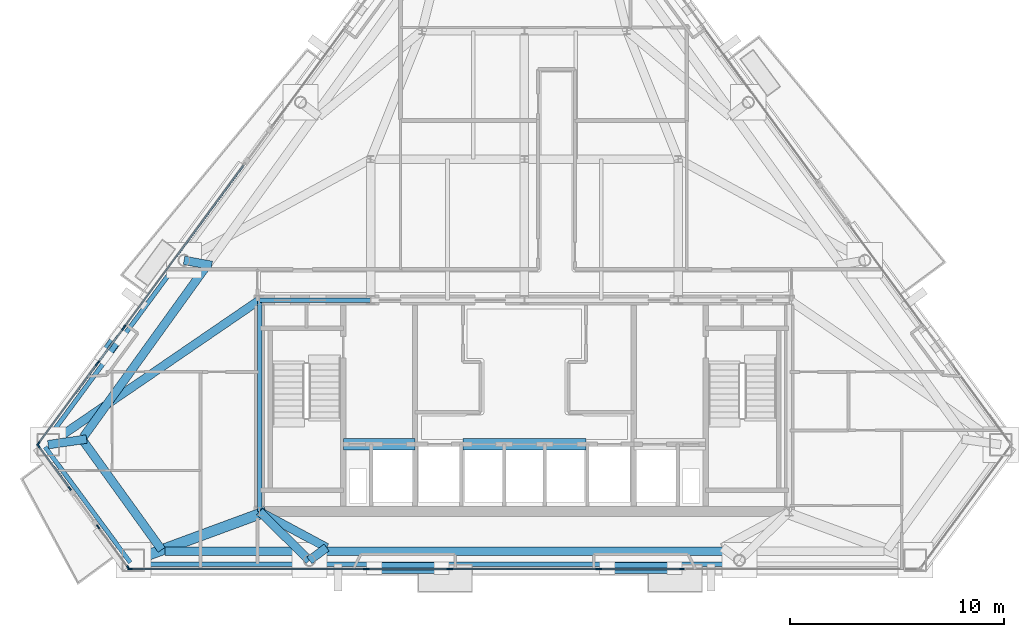
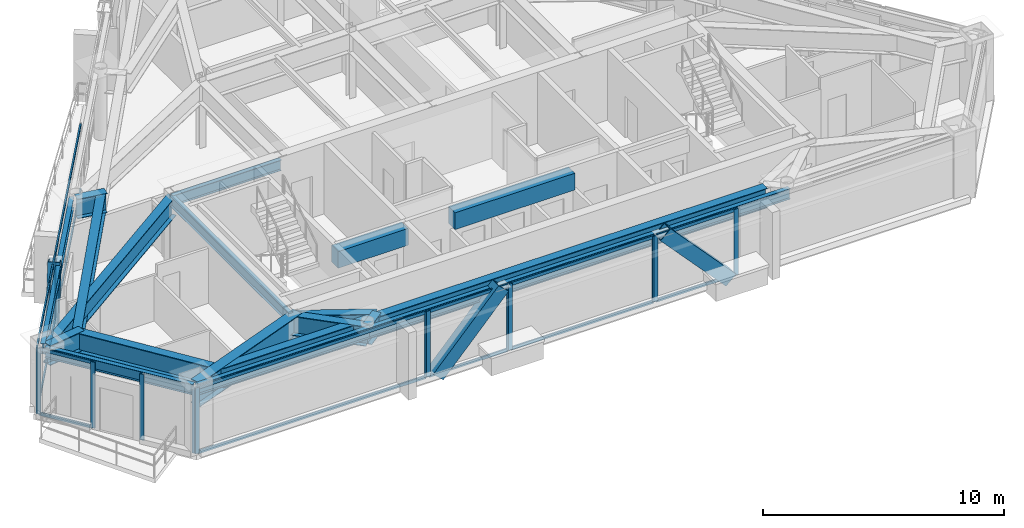
# One storey, part 3 of 12: 36 members, 19 beams, 9 elements without a shape of their own.
"""IFC4 building model written with IfcOpenShell, lengths in metres."""

from ifc_helpers import new_model, si_unit, direction, frame, origin, origin_2d, place, context, subcontext, project, spatial, rectangle, hollow_rectangle, i_section, extrude, material, layer, layer_set, material_profile, profile_set, type_object, element, aggregate, save


model = new_model("IFC4")

# Units and contexts
model_context = context("Model", 3, precision=1e-05, world=origin(), true_north=direction((0.0, 1.0)))
body_context = subcontext(model_context, "Body", "Model", "MODEL_VIEW")
ifc_project = project(units=[si_unit("LENGTHUNIT", "METRE"), si_unit("AREAUNIT", "SQUARE_METRE"), si_unit("VOLUMEUNIT", "CUBIC_METRE"), si_unit("PLANEANGLEUNIT", "RADIAN"), si_unit("MASSUNIT", "GRAM", prefix="KILO")], contexts=[model_context])

# Site, building, storey
site_placement = place(None, origin())
site = spatial("IfcSite", under=ifc_project, at=site_placement, CompositionType="ELEMENT")
building_placement = place(site_placement, origin())
building = spatial("IfcBuilding", under=site, at=building_placement, Name="Talgorran Terracotta Tower", CompositionType="ELEMENT")
storey_placement = place(building_placement, frame((0.0, 0.0, 182.10009765625)))
storey = spatial("IfcBuildingStorey", under=building, at=storey_placement, Name="L47", CompositionType="ELEMENT", Elevation=182.10009765625)

# Beams
ifc_material_1 = material(Name="Steel Grade 350 (350L0)", Category="steel")
ifc_material_profile_1 = material_profile(ifc_material_1, i_section(OverallWidth=0.39990234375, OverallDepth=1.0, WebThickness=0.01611328125, FlangeThickness=0.031005859375, at=origin_2d()), Name="1000WB296")
ifc_profile_set_1 = profile_set([ifc_material_profile_1], Name="Steel Grade 350 (350L0)")
beam_type_1 = type_object("IfcBeamType", Name="BM_1000WB296", PredefinedType="BEAM", material=ifc_profile_set_1)
beam_1_placement = place(storey_placement, frame((-10.0654296875, -16.385498046875, 2.849853515625), z_axis=(-0.714577354867, 0.699556433686, 0.0), x_axis=(-0.699556433686, -0.714577354867, 0.0)))
element("IfcBeam", 1, at=beam_1_placement, inside=storey, type_object=beam_type_1, Name="L47 South-West Core Tie Beam", PredefinedType="BEAM", context=body_context, shape_type="SweptSolid", body=[
    extrude(i_section(OverallWidth=0.39990234375, OverallDepth=1.0, WebThickness=0.01611328125, FlangeThickness=0.031005859375, at=origin_2d()), origin(), (0.0, 0.0, 1.0), 3.266845703125),
])
beam_2_placement = place(storey_placement, frame((-20.639892578125, -10.81201171875, 2.849853515625), z_axis=(0.584403369452, -0.811463308951, 0.0), x_axis=(0.811463308951, 0.584403369452, 0.0)))
element("IfcBeam", 2, at=beam_2_placement, inside=storey, type_object=beam_type_1, Name="L47 Setback Inner Spandrel Girder 1", PredefinedType="BEAM", context=body_context, shape_type="SweptSolid", body=[
    extrude(i_section(OverallWidth=0.39990234375, OverallDepth=1.0, WebThickness=0.01611328125, FlangeThickness=0.031005859375, at=origin_2d()), origin(), (0.0, 0.0, 1.0), 6.2587890625),
])
beam_3_placement = place(storey_placement, frame((-16.8359375, -15.965576171875, 2.849853515625), z_axis=(1.0, 0.0, 0.0), x_axis=(0.0, 1.0, 0.0)))
element("IfcBeam", 3, at=beam_3_placement, inside=storey, type_object=beam_type_1, Name="L47 Setback Inner Spandrel Girder 2", PredefinedType="BEAM", context=body_context, shape_type="SweptSolid", body=[
    extrude(i_section(OverallWidth=0.39990234375, OverallDepth=1.0, WebThickness=0.01611328125, FlangeThickness=0.031005859375, at=origin_2d()), origin(), (0.0, 0.0, 1.0), 7.576171875),
])
beam_4_placement = place(storey_placement, frame((-9.259765625, -15.965576171875, 2.849853515625), z_axis=(1.0, 0.0, 0.0), x_axis=(0.0, 1.0, 0.0)))
element("IfcBeam", 4, at=beam_4_placement, inside=storey, type_object=beam_type_1, Name="L47 Setback Inner Spandrel Girder 3", PredefinedType="BEAM", context=body_context, shape_type="SweptSolid", body=[
    extrude(i_section(OverallWidth=0.39990234375, OverallDepth=1.0, WebThickness=0.01611328125, FlangeThickness=0.031005859375, at=origin_2d()), origin(), (0.0, 0.0, 1.0), 18.51953125),
])
beam_5_placement = place(storey_placement, frame((-14.78515625, -2.47216796875, 2.849853515625), z_axis=(-0.584408080177, -0.811459916339, 0.0), x_axis=(0.811459916339, -0.584408080177, 0.0)))
element("IfcBeam", 5, at=beam_5_placement, inside=storey, type_object=beam_type_1, Name="L47 Setback Inner Spandrel Girder 12", PredefinedType="BEAM", context=body_context, shape_type="SweptSolid", body=[
    extrude(i_section(OverallWidth=0.39990234375, OverallDepth=1.0, WebThickness=0.01611328125, FlangeThickness=0.031005859375, at=origin_2d()), origin(), (0.0, 0.0, 1.0), 10.018310546875),
])
beam_6_placement = place(storey_placement, frame((-22.2939453125, -10.97021484375, 2.849853515625), z_axis=(0.98946340849, 0.144783159447, 0.0), x_axis=(-0.144783159447, 0.98946340849, 0.0)))
element("IfcBeam", 6, at=beam_6_placement, inside=storey, type_object=beam_type_1, Name="L47 Perimeter Step Girder 1A", PredefinedType="BEAM", context=body_context, shape_type="SweptSolid", body=[
    extrude(i_section(OverallWidth=0.39990234375, OverallDepth=1.0, WebThickness=0.01611328125, FlangeThickness=0.031005859375, at=origin_2d()), origin(), (0.0, 0.0, 1.0), 1.819580078125),
])
beam_7_placement = place(storey_placement, frame((-10.0654296875, -16.385498046875, 2.849853515625), z_axis=(0.802095130729, 0.597196283697, 0.0), x_axis=(-0.597196283697, 0.802095130729, 0.0)))
element("IfcBeam", 7, at=beam_7_placement, inside=storey, type_object=beam_type_1, Name="L47 Perimeter Step Girder 3A", PredefinedType="BEAM", context=body_context, shape_type="SweptSolid", body=[
    extrude(i_section(OverallWidth=0.39990234375, OverallDepth=1.0, WebThickness=0.01611328125, FlangeThickness=0.031005859375, at=origin_2d()), origin(), (0.0, 0.0, 1.0), 1.00439453125),
])
beam_8_placement = place(storey_placement, frame((-9.259765625, -15.78564453125, 2.849853515625), z_axis=(-0.881090647675, 0.472947428981, 0.0), x_axis=(-0.472947428981, -0.881090647675, 0.0)))
element("IfcBeam", 8, at=beam_8_placement, inside=storey, type_object=beam_type_1, Name="L47 Perimeter Step Girder 3B", PredefinedType="BEAM", context=body_context, shape_type="SweptSolid", body=[
    extrude(i_section(OverallWidth=0.39990234375, OverallDepth=1.0, WebThickness=0.01611328125, FlangeThickness=0.031005859375, at=origin_2d()), origin(), (0.0, 0.0, 1.0), 3.56396484375),
])
beam_9_placement = place(storey_placement, frame((-15.930908203125, -2.34130859375, 2.849853515625), z_axis=(0.983711896277, -0.179752343859, 0.0), x_axis=(0.179752343859, 0.983711896277, 0.0)))
element("IfcBeam", 9, at=beam_9_placement, inside=storey, type_object=beam_type_1, Name="L47 Perimeter Step Girder 12A", PredefinedType="BEAM", context=body_context, shape_type="SweptSolid", body=[
    extrude(i_section(OverallWidth=0.39990234375, OverallDepth=1.0, WebThickness=0.01611328125, FlangeThickness=0.031005859375, at=origin_2d()), origin(), (0.0, 0.0, 1.0), 1.3134765625),
])
beam_10_placement = place(storey_placement, frame((-12.39990234375, -4.199951171875, 2.849853515625), z_axis=(-0.82528178588, -0.564721147023, 0.0), x_axis=(0.564721147023, -0.82528178588, 0.0)))
element("IfcBeam", 10, at=beam_10_placement, inside=storey, type_object=beam_type_1, Name="L47 Floor Girder G17", PredefinedType="BEAM", context=body_context, shape_type="SweptSolid", body=[
    extrude(i_section(OverallWidth=0.39990234375, OverallDepth=1.0, WebThickness=0.01611328125, FlangeThickness=0.031005859375, at=origin_2d()), origin(), (0.0, 0.0, 1.0), 11.98876953125),
])
ifc_material_profile_2 = material_profile(ifc_material_1, i_section(OverallWidth=0.5, OverallDepth=1.199951171875, WebThickness=0.01611328125, FlangeThickness=0.035888671875, at=origin_2d()), Name="1200WB392")
ifc_profile_set_2 = profile_set([ifc_material_profile_2], Name="Steel Grade 350 (350L0)")
beam_type_2 = type_object("IfcBeamType", Name="BM_1200WB392", PredefinedType="BEAM", material=ifc_profile_set_2)
beam_11_placement = place(storey_placement, frame((-18.30078125, -16.385498046875, 2.75), z_axis=(0.938297063981, 0.345830333724, 0.0), x_axis=(-0.345830333724, 0.938297063981, 0.0)))
element("IfcBeam", 11, at=beam_11_placement, inside=storey, type_object=beam_type_2, Name="L47 Perimeter Step Girder 2", PredefinedType="BEAM", context=body_context, shape_type="SweptSolid", body=[
    extrude(i_section(OverallWidth=0.5, OverallDepth=1.199951171875, WebThickness=0.01611328125, FlangeThickness=0.035888671875, at=origin_2d()), origin(), (0.0, 0.0, 1.0), 6.6083984375),
])
ifc_material_2 = material(Name="Concrete C50/60", Category="concrete")
ifc_material_profile_3 = material_profile(ifc_material_2, rectangle(XDim=0.550048828125, YDim=0.85009765625, at=origin_2d()), Name="RCCB550X850")
ifc_profile_set_3 = profile_set([ifc_material_profile_3], Name="Concrete C50/60")
beam_type_3 = type_object("IfcBeamType", Name="BM_CB_550X850", PredefinedType="LINTEL", material=ifc_profile_set_3)
beam_12_placement = place(storey_placement, frame((-8.47998046875, -10.949951171875, 2.9248046875), z_axis=(1.0, 0.0, 0.0), x_axis=(0.0, 1.0, 0.0)))
element("IfcBeam", 12, at=beam_12_placement, inside=storey, type_object=beam_type_3, Name="L47 Core Shear-Wall Coupling Beam CB1", PredefinedType="LINTEL", context=body_context, shape_type="SweptSolid", body=[
    extrude(rectangle(XDim=0.550048828125, YDim=0.85009765625, at=origin_2d()), origin(), (0.0, 0.0, 1.0), 3.35986328125),
])
beam_13_placement = place(storey_placement, frame((-2.8798828125, -10.949951171875, 2.9248046875), z_axis=(1.0, 0.0, 0.0), x_axis=(0.0, 1.0, 0.0)))
element("IfcBeam", 13, at=beam_13_placement, inside=storey, type_object=beam_type_3, Name="L47 Core Shear-Wall Coupling Beam CB2", PredefinedType="LINTEL", context=body_context, shape_type="SweptSolid", body=[
    extrude(rectangle(XDim=0.550048828125, YDim=0.85009765625, at=origin_2d()), origin(), (0.0, 0.0, 1.0), 5.759765625),
])
ifc_material_3 = material(Name="Steel S355 (300PLUS)", Category="steel")
ifc_material_profile_4 = material_profile(ifc_material_3, i_section(OverallWidth=0.209228515625, OverallDepth=0.532958984375, WebThickness=0.01025390625, FlangeThickness=0.015625, at=origin_2d()), Name="530UB92.4")
ifc_profile_set_4 = profile_set([ifc_material_profile_4], Name="Steel S355 (300PLUS)")
beam_type_4 = type_object("IfcBeamType", Name="BM_SP_530UB92", PredefinedType="SPANDREL", material=ifc_profile_set_4)
beam_14_placement = place(storey_placement, frame((-22.438720703125, -11.0771484375, 3.08349609375), z_axis=(0.593483681594, -0.804846022343, 0.0), x_axis=(0.804846022343, 0.593483681594, 0.0)))
element("IfcBeam", 14, at=beam_14_placement, inside=storey, type_object=beam_type_4, Name="L47 Perimeter Spandrel Beam MC1-MC2", PredefinedType="SPANDREL", context=body_context, shape_type="SweptSolid", body=[
    extrude(i_section(OverallWidth=0.209228515625, OverallDepth=0.532958984375, WebThickness=0.01025390625, FlangeThickness=0.015625, at=origin_2d()), origin(), (0.0, 0.0, 1.0), 6.728271484375),
])
beam_15_placement = place(storey_placement, frame((-18.30078125, -16.565673828125, 3.08349609375), z_axis=(1.0, 0.0, 0.0), x_axis=(0.0, 1.0, 0.0)))
element("IfcBeam", 15, at=beam_15_placement, inside=storey, type_object=beam_type_4, Name="L47 Perimeter Spandrel Beam MC2-FC1", PredefinedType="SPANDREL", context=body_context, shape_type="SweptSolid", body=[
    extrude(i_section(OverallWidth=0.209228515625, OverallDepth=0.532958984375, WebThickness=0.01025390625, FlangeThickness=0.015625, at=origin_2d()), origin(), (0.0, 0.0, 1.0), 8.2353515625),
])
beam_16_placement = place(storey_placement, frame((-10.0654296875, -16.565673828125, 3.08349609375), z_axis=(1.0, 0.0, 0.0), x_axis=(0.0, 1.0, 0.0)))
element("IfcBeam", 16, at=beam_16_placement, inside=storey, type_object=beam_type_4, Name="L47 Perimeter Spandrel Beam FC1-FC2", PredefinedType="SPANDREL", context=body_context, shape_type="SweptSolid", body=[
    extrude(i_section(OverallWidth=0.209228515625, OverallDepth=0.532958984375, WebThickness=0.01025390625, FlangeThickness=0.015625, at=origin_2d()), origin(), (0.0, 0.0, 1.0), 20.130859375),
])
beam_17_placement = place(storey_placement, frame((-16.075927734375, -2.234619140625, 3.08349609375), z_axis=(-0.593480195487, -0.804848592944, 0.0), x_axis=(0.804848592944, -0.593480195487, 0.0)))
element("IfcBeam", 17, at=beam_17_placement, inside=storey, type_object=beam_type_4, Name="L47 Perimeter Spandrel Beam FC6-MC1", PredefinedType="SPANDREL", context=body_context, shape_type="SweptSolid", body=[
    extrude(i_section(OverallWidth=0.209228515625, OverallDepth=0.532958984375, WebThickness=0.01025390625, FlangeThickness=0.015625, at=origin_2d()), origin(), (0.0, 0.0, 1.0), 10.72119140625),
])
beam_18_placement = place(storey_placement, frame((-12.39990234375, -14.10009765625, 3.08349609375), z_axis=(0.0, 1.0, 0.0), x_axis=(-1.0, 0.0, 0.0)))
element("IfcBeam", 18, at=beam_18_placement, inside=storey, type_object=beam_type_4, Name="L47 Core Frame Beam CFW", PredefinedType="SPANDREL", context=body_context, shape_type="SweptSolid", body=[
    extrude(i_section(OverallWidth=0.209228515625, OverallDepth=0.532958984375, WebThickness=0.01025390625, FlangeThickness=0.015625, at=origin_2d()), origin(), (0.0, 0.0, 1.0), 9.900146484375),
])
beam_19_placement = place(storey_placement, frame((-12.39990234375, -4.199951171875, 3.08349609375), z_axis=(1.0, 0.0, 0.0), x_axis=(0.0, 1.0, 0.0)))
element("IfcBeam", 19, at=beam_19_placement, inside=storey, type_object=beam_type_4, Name="L47 Core Frame Beam CFN1", PredefinedType="SPANDREL", context=body_context, shape_type="SweptSolid", body=[
    extrude(i_section(OverallWidth=0.209228515625, OverallDepth=0.532958984375, WebThickness=0.01025390625, FlangeThickness=0.015625, at=origin_2d()), origin(), (0.0, 0.0, 1.0), 5.199951171875),
])

# Members
ifc_material_profile_5 = material_profile(ifc_material_1, hollow_rectangle(XDim=0.52001953125, YDim=0.659912109375, WallThickness=0.034912109375, at=origin_2d()), Name="WBOX660X520X35")
ifc_profile_set_5 = profile_set([ifc_material_profile_5], Name="Steel Grade 350 (350L0)")
member_type_1 = type_object("IfcMemberType", Name="MB_MEGA_660", PredefinedType="BRACE", material=ifc_profile_set_5)
member_1_placement = place(storey_placement, frame((-7.0234375, -16.74560546875, -0.025146484375), z_axis=(0.678687381758, 0.0, 0.734427285606), x_axis=(0.0, 1.0, 0.0)))
element("IfcMember", 20, at=member_1_placement, inside=storey, type_object=member_type_1, Name="L47 Exterior Face Mega-Brace MB-3 (SWF)", PredefinedType="BRACE", context=body_context, shape_type="SweptSolid", body=[
    extrude(hollow_rectangle(XDim=0.52001953125, YDim=0.659912109375, WallThickness=0.034912109375, at=origin_2d()), origin(), (0.0, 0.0, 1.0), 4.629638671875),
])
member_2_placement = place(storey_placement, frame((7.023193359375, -16.74560546875, -0.025146484375), z_axis=(-0.678658936351, 0.0, 0.734453571106), x_axis=(0.0, -1.0, 0.0)))
element("IfcMember", 21, at=member_2_placement, inside=storey, type_object=member_type_1, Name="L47 Exterior Face Mega-Brace MB-3 (SEF)", PredefinedType="BRACE", context=body_context, shape_type="SweptSolid", body=[
    extrude(hollow_rectangle(XDim=0.52001953125, YDim=0.659912109375, WallThickness=0.034912109375, at=origin_2d()), origin(), (0.0, 0.0, 1.0), 4.62939453125),
])
member_3_placement = place(storey_placement, frame((-19.67919921875, -6.818115234375, -0.025146484375), z_axis=(0.190111846593, 0.257858322159, 0.947294342577), x_axis=(-0.804890374823, 0.593423528787, 0.0)))
element("IfcMember", 22, at=member_3_placement, inside=storey, type_object=member_type_1, Name="L47 Exterior Face Mega-Brace MB-3 (NWL)", PredefinedType="BRACE", context=body_context, shape_type="SweptSolid", body=[
    extrude(hollow_rectangle(XDim=0.52001953125, YDim=0.659912109375, WallThickness=0.034912109375, at=origin_2d()), origin(), (0.0, 0.0, 1.0), 3.58935546875),
])

# Curtain wall, members
ifc_material_4 = material(Name="High-Wind Unitised Glazing", Category="glass")
ifc_layer = layer(ifc_material_4, 0.2099609375, Name="CW_SYS3_RES_HIGH")
ifc_layer_set = layer_set([ifc_layer], Name="High-Wind Unitised Glazing")
curtain_wall_type = type_object("IfcCurtainWallType", Name="CW_SYS3_RES_HIGH", PredefinedType="NOTDEFINED", material=ifc_layer_set)
curtain_wall_1_placement = place(storey_placement, origin())
curtain_wall_1 = element("IfcCurtainWall", 23, at=curtain_wall_1_placement, inside=storey, type_object=curtain_wall_type, Name="CW-L47-F10", PredefinedType="NOTDEFINED")
ifc_material_5 = material(Name="Architectural Aluminium 6063-T6", Category="aluminium")
ifc_material_profile_6 = material_profile(ifc_material_5, rectangle(XDim=0.070068359375, YDim=0.199951171875, at=origin_2d()), Name="CWM70X200")
ifc_profile_set_6 = profile_set([ifc_material_profile_6], Name="Architectural Aluminium 6063-T6")
member_type_2 = type_object("IfcMemberType", Name="MUL_70X200", PredefinedType="MULLION", material=ifc_profile_set_6)
member_4_placement = place(storey_placement, frame((-22.746337890625, -11.03076171875, 0.0), z_axis=(0.0, 0.0, 1.0), x_axis=(0.804833960759, 0.593500038424, 0.0)))
member_4 = element("IfcMember", 24, at=member_4_placement, type_object=member_type_2, Name="CW-L47-10 mullion 1", PredefinedType="MULLION", context=body_context, shape_type="SweptSolid", body=[
    extrude(rectangle(XDim=0.070068359375, YDim=0.199951171875, at=origin_2d()), origin(), (0.0, 0.0, 1.0), 3.349853515625),
])
member_5_placement = place(storey_placement, frame((-21.281494140625, -13.01708984375, 0.0), z_axis=(0.0, 0.0, 1.0), x_axis=(0.804833960759, 0.593500038424, 0.0)))
member_5 = element("IfcMember", 25, at=member_5_placement, type_object=member_type_2, Name="CW-L47-10 mullion 2", PredefinedType="MULLION", context=body_context, shape_type="SweptSolid", body=[
    extrude(rectangle(XDim=0.070068359375, YDim=0.199951171875, at=origin_2d()), origin(), (0.0, 0.0, 1.0), 3.349853515625),
])

curtain_wall_2_placement = place(storey_placement, origin())
curtain_wall_2 = element("IfcCurtainWall", 26, at=curtain_wall_2_placement, inside=storey, type_object=curtain_wall_type, Name="CW-L47-F11", PredefinedType="NOTDEFINED")
member_6_placement = place(storey_placement, frame((-19.9580078125, -14.811767578125, 0.0), z_axis=(0.0, 0.0, 1.0), x_axis=(0.804832917405, 0.593501453293, 0.0)))
member_6 = element("IfcMember", 27, at=member_6_placement, type_object=member_type_2, Name="CW-L47-11 mullion 1", PredefinedType="MULLION", context=body_context, shape_type="SweptSolid", body=[
    extrude(rectangle(XDim=0.070068359375, YDim=0.199951171875, at=origin_2d()), origin(), (0.0, 0.0, 1.0), 3.349853515625),
])
member_7_placement = place(storey_placement, frame((-18.547119140625, -16.725341796875, 0.0), z_axis=(0.0, 0.0, 1.0), x_axis=(0.804832917405, 0.593501453293, 0.0)))
member_7 = element("IfcMember", 28, at=member_7_placement, type_object=member_type_2, Name="CW-L47-11 mullion 2", PredefinedType="MULLION", context=body_context, shape_type="SweptSolid", body=[
    extrude(rectangle(XDim=0.070068359375, YDim=0.199951171875, at=origin_2d()), origin(), (0.0, 0.0, 1.0), 3.349853515625),
])
aggregate(curtain_wall_2, [member_6, member_7])

curtain_wall_3_placement = place(storey_placement, origin())
curtain_wall_3 = element("IfcCurtainWall", 29, at=curtain_wall_3_placement, inside=storey, type_object=curtain_wall_type, Name="CW-L47-F1", PredefinedType="NOTDEFINED")
member_8_placement = place(storey_placement, frame((-18.4677734375, -16.78564453125, 0.0), z_axis=(0.0, 0.0, 1.0), x_axis=(0.0, 1.0, 0.0)))
member_8 = element("IfcMember", 30, at=member_8_placement, type_object=member_type_2, Name="CW-L47-1 mullion 1", PredefinedType="MULLION", context=body_context, shape_type="SweptSolid", body=[
    extrude(rectangle(XDim=0.070068359375, YDim=0.199951171875, at=origin_2d()), origin(), (0.0, 0.0, 1.0), 3.349853515625),
])
member_9_placement = place(storey_placement, frame((-7.455810546875, -16.78564453125, 0.0), z_axis=(0.0, 0.0, 1.0), x_axis=(0.0, 1.0, 0.0)))
member_9 = element("IfcMember", 31, at=member_9_placement, type_object=member_type_2, Name="CW-L47-1 mullion 2", PredefinedType="MULLION", context=body_context, shape_type="SweptSolid", body=[
    extrude(rectangle(XDim=0.070068359375, YDim=0.199951171875, at=origin_2d()), origin(), (0.0, 0.0, 1.0), 3.349853515625),
])

curtain_wall_4_placement = place(storey_placement, origin())
curtain_wall_4 = element("IfcCurtainWall", 32, at=curtain_wall_4_placement, inside=storey, type_object=curtain_wall_type, Name="CW-L47-F1B", PredefinedType="NOTDEFINED")
member_10_placement = place(storey_placement, frame((-7.375732421875, -16.78564453125, 0.0), z_axis=(0.0, 0.0, 1.0), x_axis=(0.0, 1.0, 0.0)))
member_10 = element("IfcMember", 33, at=member_10_placement, type_object=member_type_2, Name="CW-L47-1B mullion 1", PredefinedType="MULLION", context=body_context, shape_type="SweptSolid", body=[
    extrude(rectangle(XDim=0.070068359375, YDim=0.199951171875, at=origin_2d()), origin(), (0.0, 0.0, 1.0), 3.349853515625),
])
member_11_placement = place(storey_placement, frame((-3.52880859375, -16.78564453125, 0.0), z_axis=(0.0, 0.0, 1.0), x_axis=(0.0, 1.0, 0.0)))
member_11 = element("IfcMember", 34, at=member_11_placement, type_object=member_type_2, Name="CW-L47-1B mullion 2", PredefinedType="MULLION", context=body_context, shape_type="SweptSolid", body=[
    extrude(rectangle(XDim=0.070068359375, YDim=0.199951171875, at=origin_2d()), origin(), (0.0, 0.0, 1.0), 3.349853515625),
])

curtain_wall_5_placement = place(storey_placement, origin())
curtain_wall_5 = element("IfcCurtainWall", 35, at=curtain_wall_5_placement, inside=storey, type_object=curtain_wall_type, Name="CW-L47-F1C", PredefinedType="NOTDEFINED")
member_12_placement = place(storey_placement, frame((-3.448974609375, -16.78564453125, 0.0), z_axis=(0.0, 0.0, 1.0), x_axis=(0.0, 1.0, 0.0)))
member_12 = element("IfcMember", 36, at=member_12_placement, type_object=member_type_2, Name="CW-L47-1C mullion 1", PredefinedType="MULLION", context=body_context, shape_type="SweptSolid", body=[
    extrude(rectangle(XDim=0.070068359375, YDim=0.199951171875, at=origin_2d()), origin(), (0.0, 0.0, 1.0), 3.349853515625),
])
member_13_placement = place(storey_placement, frame((3.448974609375, -16.78564453125, 0.0), z_axis=(0.0, 0.0, 1.0), x_axis=(0.0, 1.0, 0.0)))
member_13 = element("IfcMember", 37, at=member_13_placement, type_object=member_type_2, Name="CW-L47-1C mullion 2", PredefinedType="MULLION", context=body_context, shape_type="SweptSolid", body=[
    extrude(rectangle(XDim=0.070068359375, YDim=0.199951171875, at=origin_2d()), origin(), (0.0, 0.0, 1.0), 3.349853515625),
])

curtain_wall_6_placement = place(storey_placement, origin())
curtain_wall_6 = element("IfcCurtainWall", 38, at=curtain_wall_6_placement, inside=storey, type_object=curtain_wall_type, Name="CW-L47-F1D", PredefinedType="NOTDEFINED")
member_14_placement = place(storey_placement, frame((3.52880859375, -16.78564453125, 0.0), z_axis=(0.0, 0.0, 1.0), x_axis=(0.0, 1.0, 0.0)))
member_14 = element("IfcMember", 39, at=member_14_placement, type_object=member_type_2, Name="CW-L47-1D mullion 1", PredefinedType="MULLION", context=body_context, shape_type="SweptSolid", body=[
    extrude(rectangle(XDim=0.070068359375, YDim=0.199951171875, at=origin_2d()), origin(), (0.0, 0.0, 1.0), 3.349853515625),
])
member_15_placement = place(storey_placement, frame((7.375732421875, -16.78564453125, 0.0), z_axis=(0.0, 0.0, 1.0), x_axis=(0.0, 1.0, 0.0)))
member_15 = element("IfcMember", 40, at=member_15_placement, type_object=member_type_2, Name="CW-L47-1D mullion 2", PredefinedType="MULLION", context=body_context, shape_type="SweptSolid", body=[
    extrude(rectangle(XDim=0.070068359375, YDim=0.199951171875, at=origin_2d()), origin(), (0.0, 0.0, 1.0), 3.349853515625),
])

# Curtain wall, member
curtain_wall_7_placement = place(storey_placement, origin())
curtain_wall_7 = element("IfcCurtainWall", 41, at=curtain_wall_7_placement, inside=storey, type_object=curtain_wall_type, Name="CW-L47-F61", PredefinedType="NOTDEFINED")
member_16_placement = place(storey_placement, frame((-18.730712890625, -5.464111328125, 0.0), z_axis=(0.0, 0.0, 1.0), x_axis=(0.804841362084, -0.593490001499, 0.0)))
member_16 = element("IfcMember", 42, at=member_16_placement, type_object=member_type_2, Name="CW-L47-61 mullion 2", PredefinedType="MULLION", context=body_context, shape_type="SweptSolid", body=[
    extrude(rectangle(XDim=0.070068359375, YDim=0.199951171875, at=origin_2d()), origin(), (0.0, 0.0, 1.0), 3.349853515625),
])

# Curtain wall, members
curtain_wall_8_placement = place(storey_placement, origin())
curtain_wall_8 = element("IfcCurtainWall", 43, at=curtain_wall_8_placement, inside=storey, type_object=curtain_wall_type, Name="CW-L47-F61B", PredefinedType="NOTDEFINED")
member_17_placement = place(storey_placement, frame((-18.778076171875, -5.528564453125, 0.0), z_axis=(0.0, 0.0, 1.0), x_axis=(0.804842805539, -0.593488044001, 0.0)))
member_17 = element("IfcMember", 44, at=member_17_placement, type_object=member_type_2, Name="CW-L47-61B mullion 1", PredefinedType="MULLION", context=body_context, shape_type="SweptSolid", body=[
    extrude(rectangle(XDim=0.070068359375, YDim=0.199951171875, at=origin_2d()), origin(), (0.0, 0.0, 1.0), 3.349853515625),
])
member_18_placement = place(storey_placement, frame((-19.96240234375, -7.134521484375, 0.0), z_axis=(0.0, 0.0, 1.0), x_axis=(0.804842805539, -0.593488044001, 0.0)))
member_18 = element("IfcMember", 45, at=member_18_placement, type_object=member_type_2, Name="CW-L47-61B mullion 2", PredefinedType="MULLION", context=body_context, shape_type="SweptSolid", body=[
    extrude(rectangle(XDim=0.070068359375, YDim=0.199951171875, at=origin_2d()), origin(), (0.0, 0.0, 1.0), 3.349853515625),
])

curtain_wall_9_placement = place(storey_placement, origin())
curtain_wall_9 = element("IfcCurtainWall", 46, at=curtain_wall_9_placement, inside=storey, type_object=curtain_wall_type, Name="CW-L47-F61C", PredefinedType="NOTDEFINED")
member_19_placement = place(storey_placement, frame((-20.009765625, -7.19873046875, 0.0), z_axis=(0.0, 0.0, 1.0), x_axis=(0.804836710132, -0.593496310034, 0.0)))
member_19 = element("IfcMember", 47, at=member_19_placement, type_object=member_type_2, Name="CW-L47-61C mullion 1", PredefinedType="MULLION", context=body_context, shape_type="SweptSolid", body=[
    extrude(rectangle(XDim=0.070068359375, YDim=0.199951171875, at=origin_2d()), origin(), (0.0, 0.0, 1.0), 3.349853515625),
])
member_20_placement = place(storey_placement, frame((-22.746337890625, -10.909912109375, 0.0), z_axis=(0.0, 0.0, 1.0), x_axis=(0.804836710132, -0.593496310034, 0.0)))
member_20 = element("IfcMember", 48, at=member_20_placement, type_object=member_type_2, Name="CW-L47-61C mullion 2", PredefinedType="MULLION", context=body_context, shape_type="SweptSolid", body=[
    extrude(rectangle(XDim=0.070068359375, YDim=0.199951171875, at=origin_2d()), origin(), (0.0, 0.0, 1.0), 3.349853515625),
])

# Member
ifc_material_profile_7 = material_profile(ifc_material_5, rectangle(XDim=0.070068359375, YDim=0.159912109375, at=origin_2d()), Name="CWT70X160")
ifc_profile_set_7 = profile_set([ifc_material_profile_7], Name="Architectural Aluminium 6063-T6")
member_type_3 = type_object("IfcMemberType", Name="TRN_70X160", PredefinedType="USERDEFINED", material=ifc_profile_set_7)
member_21_placement = place(storey_placement, frame((-22.7255859375, -11.058837890625, 0.034912109375), z_axis=(0.593497636767, -0.804835731781, 0.0), x_axis=(0.804835731781, 0.593497636767, 0.0)))
member_21 = element("IfcMember", 49, at=member_21_placement, type_object=member_type_3, Name="CW-L47-10 transom 1.1", ObjectType="TRANSOM", PredefinedType="USERDEFINED", context=body_context, shape_type="SweptSolid", body=[
    extrude(rectangle(XDim=0.070068359375, YDim=0.159912109375, at=origin_2d()), origin(), (0.0, 0.0, 1.0), 2.398193359375),
])

member_22_placement = place(storey_placement, frame((-22.7255859375, -11.058837890625, 3.31494140625), z_axis=(0.593497636767, -0.804835731781, 0.0), x_axis=(0.804835731781, 0.593497636767, 0.0)))
member_22 = element("IfcMember", 50, at=member_22_placement, type_object=member_type_3, Name="CW-L47-10 transom 1.2", ObjectType="TRANSOM", PredefinedType="USERDEFINED", context=body_context, shape_type="SweptSolid", body=[
    extrude(rectangle(XDim=0.070068359375, YDim=0.159912109375, at=origin_2d()), origin(), (0.0, 0.0, 1.0), 2.398193359375),
])

aggregate(curtain_wall_1, [member_4, member_5, member_21, member_22])

member_23_placement = place(storey_placement, frame((-18.4326171875, -16.78564453125, 0.034912109375), z_axis=(1.0, 0.0, 0.0), x_axis=(0.0, 1.0, 0.0)))
member_23 = element("IfcMember", 51, at=member_23_placement, type_object=member_type_3, Name="CW-L47-1 transom 1.1", ObjectType="TRANSOM", PredefinedType="USERDEFINED", context=body_context, shape_type="SweptSolid", body=[
    extrude(rectangle(XDim=0.070068359375, YDim=0.159912109375, at=origin_2d()), origin(), (0.0, 0.0, 1.0), 10.94189453125),
])

member_24_placement = place(storey_placement, frame((-18.4326171875, -16.78564453125, 3.31494140625), z_axis=(1.0, 0.0, 0.0), x_axis=(0.0, 1.0, 0.0)))
member_24 = element("IfcMember", 52, at=member_24_placement, type_object=member_type_3, Name="CW-L47-1 transom 1.2", ObjectType="TRANSOM", PredefinedType="USERDEFINED", context=body_context, shape_type="SweptSolid", body=[
    extrude(rectangle(XDim=0.070068359375, YDim=0.159912109375, at=origin_2d()), origin(), (0.0, 0.0, 1.0), 10.94189453125),
])

aggregate(curtain_wall_3, [member_8, member_9, member_23, member_24])

member_25_placement = place(storey_placement, frame((-7.3408203125, -16.78564453125, 0.034912109375), z_axis=(1.0, 0.0, 0.0), x_axis=(0.0, 1.0, 0.0)))
member_25 = element("IfcMember", 53, at=member_25_placement, type_object=member_type_3, Name="CW-L47-1B transom 1.1", ObjectType="TRANSOM", PredefinedType="USERDEFINED", context=body_context, shape_type="SweptSolid", body=[
    extrude(rectangle(XDim=0.070068359375, YDim=0.159912109375, at=origin_2d()), origin(), (0.0, 0.0, 1.0), 3.77685546875),
])

member_26_placement = place(storey_placement, frame((-7.3408203125, -16.78564453125, 3.31494140625), z_axis=(1.0, 0.0, 0.0), x_axis=(0.0, 1.0, 0.0)))
member_26 = element("IfcMember", 54, at=member_26_placement, type_object=member_type_3, Name="CW-L47-1B transom 1.2", ObjectType="TRANSOM", PredefinedType="USERDEFINED", context=body_context, shape_type="SweptSolid", body=[
    extrude(rectangle(XDim=0.070068359375, YDim=0.159912109375, at=origin_2d()), origin(), (0.0, 0.0, 1.0), 3.77685546875),
])

aggregate(curtain_wall_4, [member_10, member_11, member_25, member_26])

member_27_placement = place(storey_placement, frame((-3.413818359375, -16.78564453125, 0.034912109375), z_axis=(1.0, 0.0, 0.0), x_axis=(0.0, 1.0, 0.0)))
member_27 = element("IfcMember", 55, at=member_27_placement, type_object=member_type_3, Name="CW-L47-1C transom 1.1", ObjectType="TRANSOM", PredefinedType="USERDEFINED", context=body_context, shape_type="SweptSolid", body=[
    extrude(rectangle(XDim=0.070068359375, YDim=0.159912109375, at=origin_2d()), origin(), (0.0, 0.0, 1.0), 6.82763671875),
])

member_28_placement = place(storey_placement, frame((-3.413818359375, -16.78564453125, 3.31494140625), z_axis=(1.0, 0.0, 0.0), x_axis=(0.0, 1.0, 0.0)))
member_28 = element("IfcMember", 56, at=member_28_placement, type_object=member_type_3, Name="CW-L47-1C transom 1.2", ObjectType="TRANSOM", PredefinedType="USERDEFINED", context=body_context, shape_type="SweptSolid", body=[
    extrude(rectangle(XDim=0.070068359375, YDim=0.159912109375, at=origin_2d()), origin(), (0.0, 0.0, 1.0), 6.82763671875),
])

aggregate(curtain_wall_5, [member_12, member_13, member_27, member_28])

member_29_placement = place(storey_placement, frame((3.56396484375, -16.78564453125, 0.034912109375), z_axis=(1.0, 0.0, 0.0), x_axis=(0.0, 1.0, 0.0)))
member_29 = element("IfcMember", 57, at=member_29_placement, type_object=member_type_3, Name="CW-L47-1D transom 1.1", ObjectType="TRANSOM", PredefinedType="USERDEFINED", context=body_context, shape_type="SweptSolid", body=[
    extrude(rectangle(XDim=0.070068359375, YDim=0.159912109375, at=origin_2d()), origin(), (0.0, 0.0, 1.0), 3.77685546875),
])

member_30_placement = place(storey_placement, frame((3.56396484375, -16.78564453125, 3.31494140625), z_axis=(1.0, 0.0, 0.0), x_axis=(0.0, 1.0, 0.0)))
member_30 = element("IfcMember", 58, at=member_30_placement, type_object=member_type_3, Name="CW-L47-1D transom 1.2", ObjectType="TRANSOM", PredefinedType="USERDEFINED", context=body_context, shape_type="SweptSolid", body=[
    extrude(rectangle(XDim=0.070068359375, YDim=0.159912109375, at=origin_2d()), origin(), (0.0, 0.0, 1.0), 3.77685546875),
])

aggregate(curtain_wall_6, [member_14, member_15, member_29, member_30])

member_31_placement = place(storey_placement, frame((-13.14404296875, 2.112060546875, 0.034912109375), z_axis=(-0.593486711963, -0.804843787777, 0.0), x_axis=(0.804843787777, -0.593486711963, 0.0)))
member_31 = element("IfcMember", 59, at=member_31_placement, type_object=member_type_3, Name="CW-L47-61 transom 1.1", ObjectType="TRANSOM", PredefinedType="USERDEFINED", context=body_context, shape_type="SweptSolid", body=[
    extrude(rectangle(XDim=0.070068359375, YDim=0.159912109375, at=origin_2d()), origin(), (0.0, 0.0, 1.0), 9.37841796875),
])

member_32_placement = place(storey_placement, frame((-13.14404296875, 2.112060546875, 3.31494140625), z_axis=(-0.593486711963, -0.804843787777, 0.0), x_axis=(0.804843787777, -0.593486711963, 0.0)))
member_32 = element("IfcMember", 60, at=member_32_placement, type_object=member_type_3, Name="CW-L47-61 transom 1.2", ObjectType="TRANSOM", PredefinedType="USERDEFINED", context=body_context, shape_type="SweptSolid", body=[
    extrude(rectangle(XDim=0.070068359375, YDim=0.159912109375, at=origin_2d()), origin(), (0.0, 0.0, 1.0), 9.37841796875),
])

aggregate(curtain_wall_7, [member_16, member_31, member_32])

member_33_placement = place(storey_placement, frame((-18.798828125, -5.556640625, 0.034912109375), z_axis=(-0.59354933146, -0.804797608796, 0.0), x_axis=(0.804797608796, -0.59354933146, 0.0)))
member_33 = element("IfcMember", 61, at=member_33_placement, type_object=member_type_3, Name="CW-L47-61B transom 1.1", ObjectType="TRANSOM", PredefinedType="USERDEFINED", context=body_context, shape_type="SweptSolid", body=[
    extrude(rectangle(XDim=0.070068359375, YDim=0.159912109375, at=origin_2d()), origin(), (0.0, 0.0, 1.0), 1.92529296875),
])

member_34_placement = place(storey_placement, frame((-18.798828125, -5.556640625, 3.31494140625), z_axis=(-0.59354933146, -0.804797608796, 0.0), x_axis=(0.804797608796, -0.59354933146, 0.0)))
member_34 = element("IfcMember", 62, at=member_34_placement, type_object=member_type_3, Name="CW-L47-61B transom 1.2", ObjectType="TRANSOM", PredefinedType="USERDEFINED", context=body_context, shape_type="SweptSolid", body=[
    extrude(rectangle(XDim=0.070068359375, YDim=0.159912109375, at=origin_2d()), origin(), (0.0, 0.0, 1.0), 1.92529296875),
])

aggregate(curtain_wall_8, [member_17, member_18, member_33, member_34])

member_35_placement = place(storey_placement, frame((-20.030517578125, -7.22705078125, 0.034912109375), z_axis=(-0.593494262543, -0.804838219972, 0.0), x_axis=(0.804838219972, -0.593494262543, 0.0)))
member_35 = element("IfcMember", 63, at=member_35_placement, type_object=member_type_3, Name="CW-L47-61C transom 1.1", ObjectType="TRANSOM", PredefinedType="USERDEFINED", context=body_context, shape_type="SweptSolid", body=[
    extrude(rectangle(XDim=0.070068359375, YDim=0.159912109375, at=origin_2d()), origin(), (0.0, 0.0, 1.0), 4.541015625),
])

member_36_placement = place(storey_placement, frame((-20.030517578125, -7.22705078125, 3.31494140625), z_axis=(-0.593494262543, -0.804838219972, 0.0), x_axis=(0.804838219972, -0.593494262543, 0.0)))
member_36 = element("IfcMember", 64, at=member_36_placement, type_object=member_type_3, Name="CW-L47-61C transom 1.2", ObjectType="TRANSOM", PredefinedType="USERDEFINED", context=body_context, shape_type="SweptSolid", body=[
    extrude(rectangle(XDim=0.070068359375, YDim=0.159912109375, at=origin_2d()), origin(), (0.0, 0.0, 1.0), 4.541015625),
])

aggregate(curtain_wall_9, [member_19, member_20, member_35, member_36])

save(model, "model.ifc")
